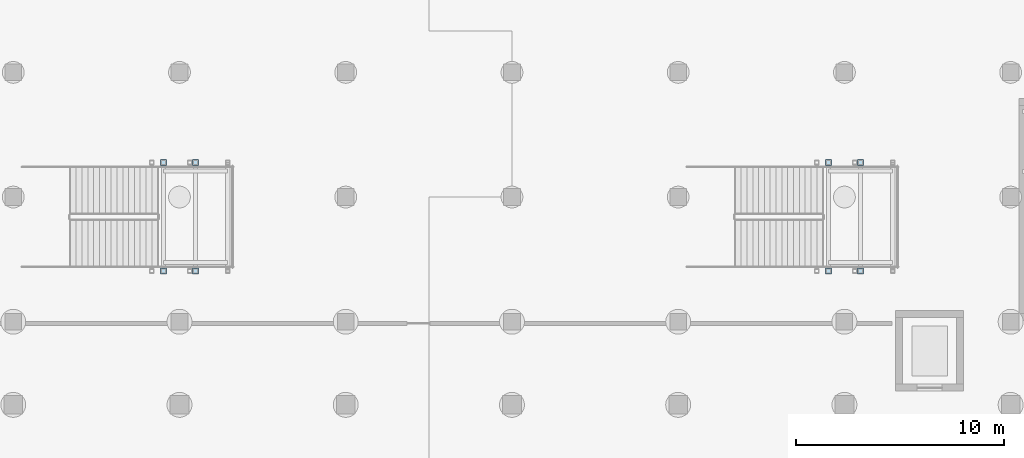
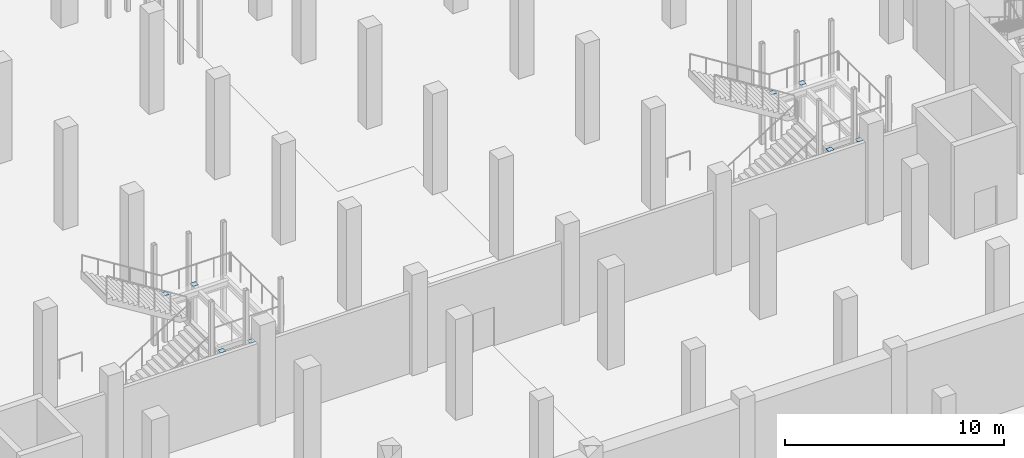
# One storey, part 10 of 26: 8 plates.
"""IFC4 building model written with IfcOpenShell, lengths in metres."""

from ifc_helpers import new_model, si_unit, direction, frame, origin, origin_2d, place, context, subcontext, project, spatial, rectangle, extrude, material, layer, layer_set, type_object, element, save


model = new_model("IFC4")

# Units and contexts
model_context = context("Model", 3, precision=1e-05, world=origin(), true_north=direction((0.0, 1.0)))
body_context = subcontext(model_context, "Body", "Model", "MODEL_VIEW")
ifc_project = project(units=[si_unit("LENGTHUNIT", "METRE"), si_unit("AREAUNIT", "SQUARE_METRE"), si_unit("VOLUMEUNIT", "CUBIC_METRE"), si_unit("PLANEANGLEUNIT", "RADIAN"), si_unit("MASSUNIT", "GRAM", prefix="KILO")], contexts=[model_context])

# Site, building, storey
site_placement = place(None, origin())
site = spatial("IfcSite", under=ifc_project, at=site_placement, CompositionType="ELEMENT")
building_placement = place(site_placement, origin())
building = spatial("IfcBuilding", under=site, at=building_placement, Name="Verrall Gate Interchange", CompositionType="ELEMENT")
storey_placement = place(building_placement, frame((0.0, 0.0, -10.39990234375)))
storey = spatial("IfcBuildingStorey", under=building, at=storey_placement, Name="B2", CompositionType="ELEMENT", Elevation=-10.39990234375)

# Plates
ifc_material = material(Name="Structural Steel CSA G40.21 350WT Cat 4", Category="steel")
ifc_layer = layer(ifc_material, 0.02001953125)
ifc_layer_set = layer_set([ifc_layer], Name="Structural Steel CSA G40.21 350WT Cat 4")
plate_type = type_object("IfcPlateType", Name="GP-01 Gusset Plate 20", PredefinedType="SHEET", material=ifc_layer_set)
for number, where, z_axis, x_axis, name in (
    (1, (59.22998046875, 18.43994140625, 2.60986328125), (0.0, 0.0, 1.0), (1.0, 0.0, 0.0), "B2 ST-10 Cradle Cap Plate"),
    (2, (59.22998046875, 23.659912109375, 2.60986328125), (0.0, 0.0, 1.0), (1.0, 0.0, 0.0), "B2 ST-10 Cradle Cap Plate"),
    (3, (60.77490234375, 18.43994140625, 2.60986328125), (0.0, 0.0, 1.0), (1.0, 0.0, 0.0), "B2 ST-10 Cradle Cap Plate"),
    (4, (60.77490234375, 23.659912109375, 2.60986328125), (0.0, 0.0, 1.0), (1.0, 0.0, 0.0), "B2 ST-10 Cradle Cap Plate"),
    (5, (91.22998046875, 18.43994140625, 2.60986328125), (0.0, 0.0, 1.0), (1.0, 0.0, 0.0), "B2 ST-11 Cradle Cap Plate"),
    (6, (91.22998046875, 23.659912109375, 2.60986328125), (0.0, 0.0, 1.0), (1.0, 0.0, 0.0), "B2 ST-11 Cradle Cap Plate"),
    (7, (92.77490234375, 18.43994140625, 2.60986328125), (0.0, 0.0, 1.0), (1.0, 0.0, 0.0), "B2 ST-11 Cradle Cap Plate"),
    (8, (92.77490234375, 23.659912109375, 2.60986328125), (0.0, 0.0, 1.0), (1.0, 0.0, 0.0), "B2 ST-11 Cradle Cap Plate"),
):
    element("IfcPlate", number, at=place(storey_placement, frame(where, z_axis=z_axis, x_axis=x_axis)), inside=storey, type_object=plate_type, Name=name, PredefinedType="SHEET", context=body_context, shape_type="SweptSolid", body=[
        extrude(rectangle(XDim=0.280029296875, YDim=0.280029296875, at=origin_2d()), origin(), (0.0, 0.0, 1.0), 0.02001953125),
    ])

save(model, "model.ifc")
